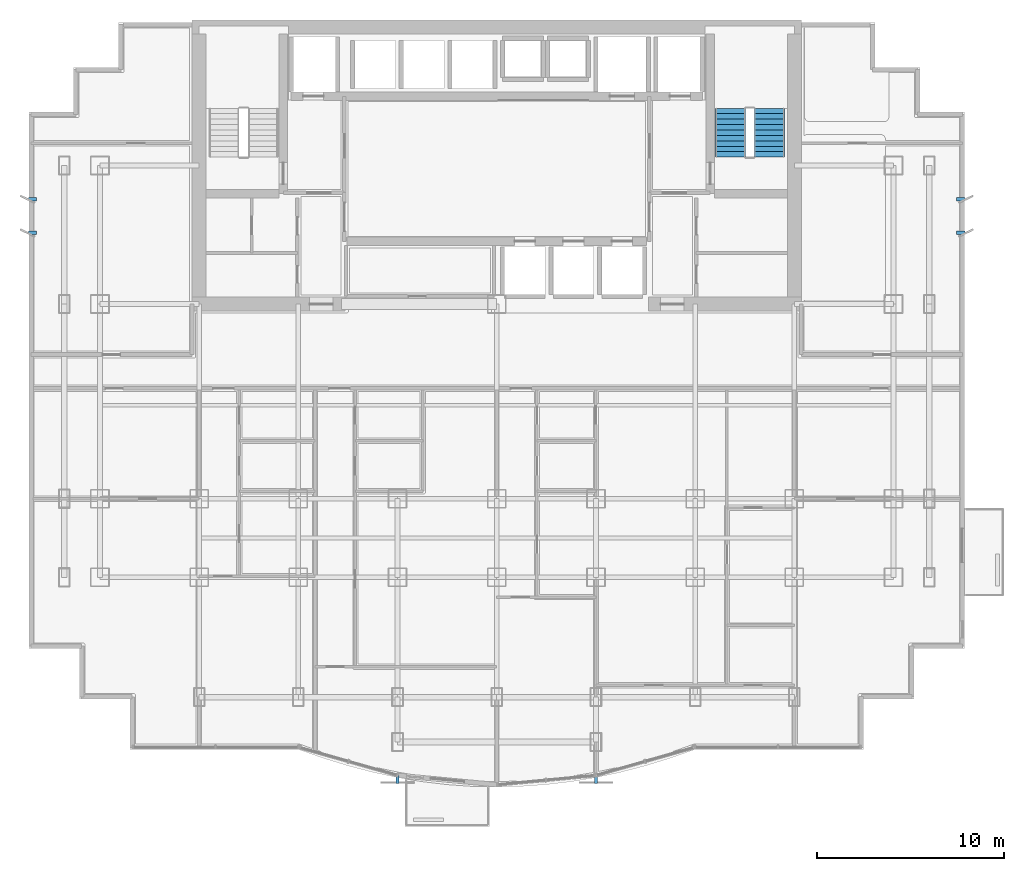
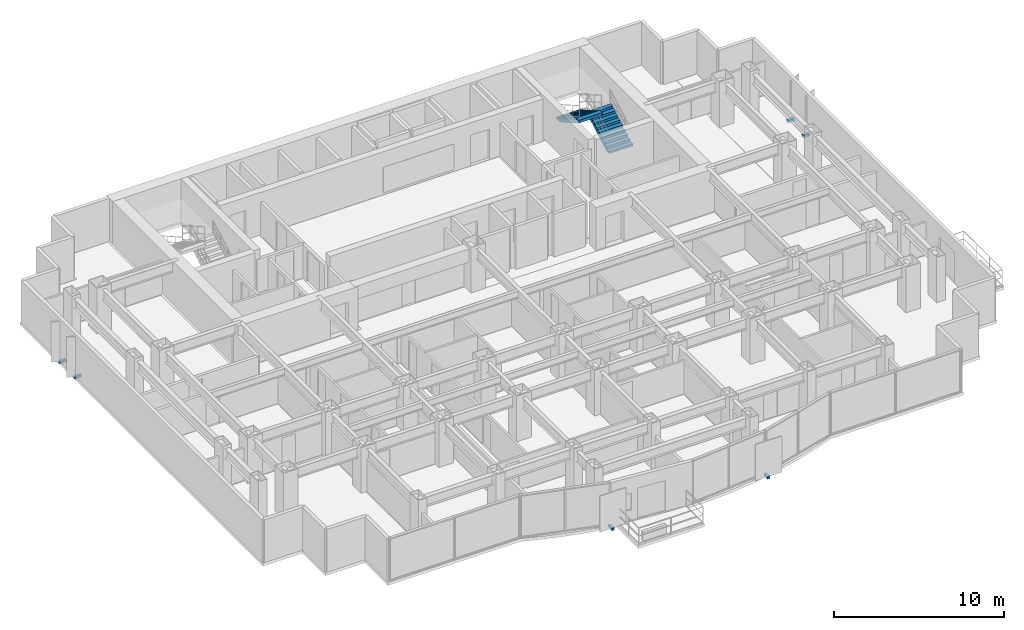
# One storey, part 8 of 10: 6 discrete accessories, 2 stair flights, 1 element without a shape of its own.
"""IFC4 building model written with IfcOpenShell, lengths in metres."""

from ifc_helpers import new_model, si_unit, direction, frame, origin, origin_2d, place, context, subcontext, project, spatial, polyline, rectangle, outline, extrude, source, transform, mapped, material, type_object, element, aggregate, save


model = new_model("IFC4")

# Units and contexts
model_context = context("Model", 3, precision=1e-05, world=origin(), true_north=direction((0.0, 1.0)))
body_context = subcontext(model_context, "Body", "Model", "MODEL_VIEW")
ifc_project = project(units=[si_unit("LENGTHUNIT", "METRE"), si_unit("AREAUNIT", "SQUARE_METRE"), si_unit("VOLUMEUNIT", "CUBIC_METRE"), si_unit("PLANEANGLEUNIT", "RADIAN"), si_unit("MASSUNIT", "GRAM", prefix="KILO")], contexts=[model_context])

# Site, building, storey
site_placement = place(None, origin())
site = spatial("IfcSite", under=ifc_project, at=site_placement, CompositionType="ELEMENT")
building_placement = place(site_placement, origin())
building = spatial("IfcBuilding", under=site, at=building_placement, Name="Qianlan Lanfeng Residences", CompositionType="ELEMENT")
storey_placement = place(building_placement, frame((0.0, 0.0, 88.300048828125)))
storey = spatial("IfcBuildingStorey", under=building, at=storey_placement, Name="L23", CompositionType="ELEMENT", Elevation=88.300048828125)

# Stair, stair flights
ifc_material_1 = material(Name="Concrete C42", Category="concrete")
stair_type = type_object("IfcStairType", Name="STR-MAIN", PredefinedType="HALF_TURN_STAIR", material=ifc_material_1)
stair_placement = place(storey_placement, origin())
stair = element("IfcStair", 1, at=stair_placement, inside=storey, type_object=stair_type, Name="L23 Exit Stair ST-2", PredefinedType="HALF_TURN_STAIR")
stair_flight_type = type_object("IfcStairFlightType", Name="FLT-1720", PredefinedType="STRAIGHT", material=ifc_material_1)
stair_flight_1_placement = place(storey_placement, frame((41.06005859375, 33.050048828125, 0.0), z_axis=(0.0, 0.0, 1.0), x_axis=(0.0, 1.0, 0.0)))
stair_flight_1 = element("IfcStairFlight", 2, at=stair_flight_1_placement, type_object=stair_flight_type, Name="ST-2 flight 1", NumberOfRisers=10, NumberOfTreads=9, PredefinedType="STRAIGHT", RiserHeight=0.165, TreadLength=0.29, context=body_context, shape_type="SweptSolid", body=[
    extrude(outline(polyline([(0.0, 0.0), (0.0, 0.1650390625), (0.2900390625, 0.1650390625), (0.2900390625, 0.330078125), (0.580078125, 0.330078125), (0.580078125, 0.4951171875), (0.8701171875, 0.4951171875), (0.8701171875, 0.659912109375), (1.159912109375, 0.659912109375), (1.159912109375, 0.824951171875), (1.449951171875, 0.824951171875), (1.449951171875, 0.989990234375), (1.739990234375, 0.989990234375), (1.739990234375, 1.155029296875), (2.030029296875, 1.155029296875), (2.030029296875, 1.320068359375), (2.320068359375, 1.320068359375), (2.320068359375, 1.485107421875), (2.610107421875, 1.485107421875), (2.610107421875, 1.64990234375), (2.610107421875, 1.278076171875), (0.36376953125, 0.0), (0.0, 0.0)])), frame((0.0, 0.800048828125, 0.0), z_axis=(0.0, -1.0, 0.0), x_axis=(1.0, 0.0, 0.0)), (0.0, 0.0, 1.0), 1.60009765625),
])
stair_flight_2_placement = place(storey_placement, frame((38.97998046875, 35.659912109375, 1.64990234375), z_axis=(0.0, 0.0, 1.0), x_axis=(0.0, -1.0, 0.0)))
stair_flight_2 = element("IfcStairFlight", 3, at=stair_flight_2_placement, type_object=stair_flight_type, Name="ST-2 flight 2", NumberOfRisers=10, NumberOfTreads=9, PredefinedType="STRAIGHT", RiserHeight=0.165, TreadLength=0.29, context=body_context, shape_type="SweptSolid", body=[
    extrude(outline(polyline([(0.0, 0.0), (0.0, 0.1650390625), (0.2900390625, 0.1650390625), (0.2900390625, 0.330078125), (0.580078125, 0.330078125), (0.580078125, 0.4951171875), (0.8701171875, 0.4951171875), (0.8701171875, 0.659912109375), (1.159912109375, 0.659912109375), (1.159912109375, 0.824951171875), (1.449951171875, 0.824951171875), (1.449951171875, 0.989990234375), (1.739990234375, 0.989990234375), (1.739990234375, 1.155029296875), (2.030029296875, 1.155029296875), (2.030029296875, 1.320068359375), (2.320068359375, 1.320068359375), (2.320068359375, 1.485107421875), (2.610107421875, 1.485107421875), (2.610107421875, 1.64990234375), (2.610107421875, 1.278076171875), (0.36376953125, 0.0), (0.0, 0.0)])), frame((0.0, 0.800048828125, 0.0), z_axis=(0.0, -1.0, 0.0), x_axis=(1.0, 0.0, 0.0)), (0.0, 0.0, 1.0), 1.60009765625),
])
aggregate(stair, [stair_flight_1, stair_flight_2])

# Discrete accessories
ifc_material_2 = material(Name="Stainless Steel Facade Bracket", Category="steel")
discrete_accessory_type = type_object("IfcDiscreteAccessoryType", Name="BRK-SS-350", PredefinedType="BRACKET", material=ifc_material_2)
shared_shape_1 = source(origin(), body_context, "Body", "SweptSolid", [
    extrude(rectangle(XDim=0.179931640625, YDim=0.449951171875, at=origin_2d()), origin(), (0.0, 0.0, 1.0), 0.179931640625),
])
for number, where, z_axis, x_axis, name in (
    (4, (21.199951171875, -0.199951171875, -0.14990234375), (0.0, 0.0, 1.0), (1.0, 0.0, 0.0), "L23 Solar Screen Support Bracket 1"),
    (5, (31.800048828125, -0.199951171875, -0.14990234375), (0.0, 0.0, 1.0), (1.0, 0.0, 0.0), "L23 Solar Screen Support Bracket 2"),
):
    element("IfcDiscreteAccessory", number, at=place(storey_placement, frame(where, z_axis=z_axis, x_axis=x_axis)), inside=storey, type_object=discrete_accessory_type, Name=name, PredefinedType="BRACKET", context=body_context, shape_type="MappedRepresentation", body=[
        mapped(shared_shape_1, transform((0.0, 0.0, 0.0), scale=1.0)),
    ])
shared_shape_2 = source(origin(), body_context, "Body", "SweptSolid", [
    extrude(rectangle(XDim=0.449951171875, YDim=0.179931640625, at=origin_2d()), origin(), (0.0, 0.0, 1.0), 0.179931640625),
])
for number, where, z_axis, x_axis, name in (
    (6, (1.699951171875, 29.0, -0.14990234375), (0.0, 0.0, 1.0), (1.0, 0.0, 0.0), "L23 Raked Solar Fin Support Bracket W1"),
    (7, (1.699951171875, 30.800048828125, -0.14990234375), (0.0, 0.0, 1.0), (1.0, 0.0, 0.0), "L23 Raked Solar Fin Support Bracket W2"),
    (8, (51.300048828125, 29.0, -0.14990234375), (0.0, 0.0, 1.0), (1.0, 0.0, 0.0), "L23 Raked Solar Fin Support Bracket E1"),
    (9, (51.300048828125, 30.800048828125, -0.14990234375), (0.0, 0.0, 1.0), (1.0, 0.0, 0.0), "L23 Raked Solar Fin Support Bracket E2"),
):
    element("IfcDiscreteAccessory", number, at=place(storey_placement, frame(where, z_axis=z_axis, x_axis=x_axis)), inside=storey, type_object=discrete_accessory_type, Name=name, PredefinedType="BRACKET", context=body_context, shape_type="MappedRepresentation", body=[
        mapped(shared_shape_2, transform((0.0, 0.0, 0.0), scale=1.0)),
    ])

save(model, "model.ifc")
